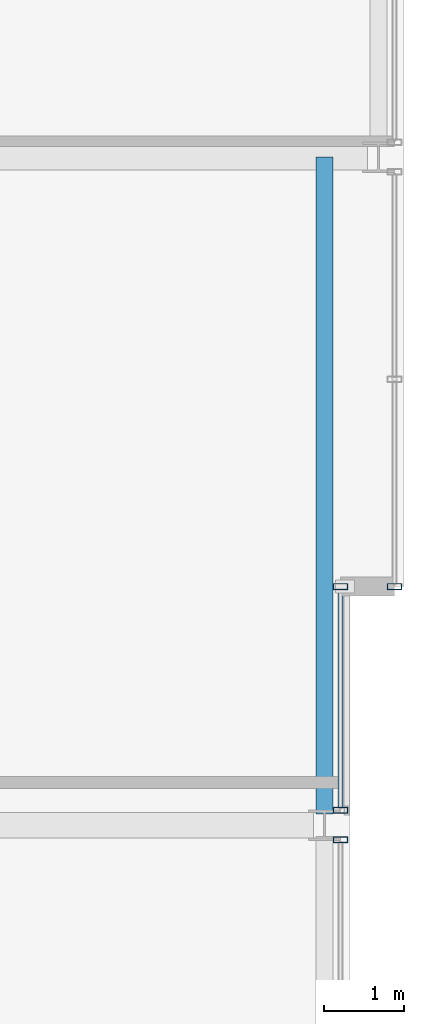
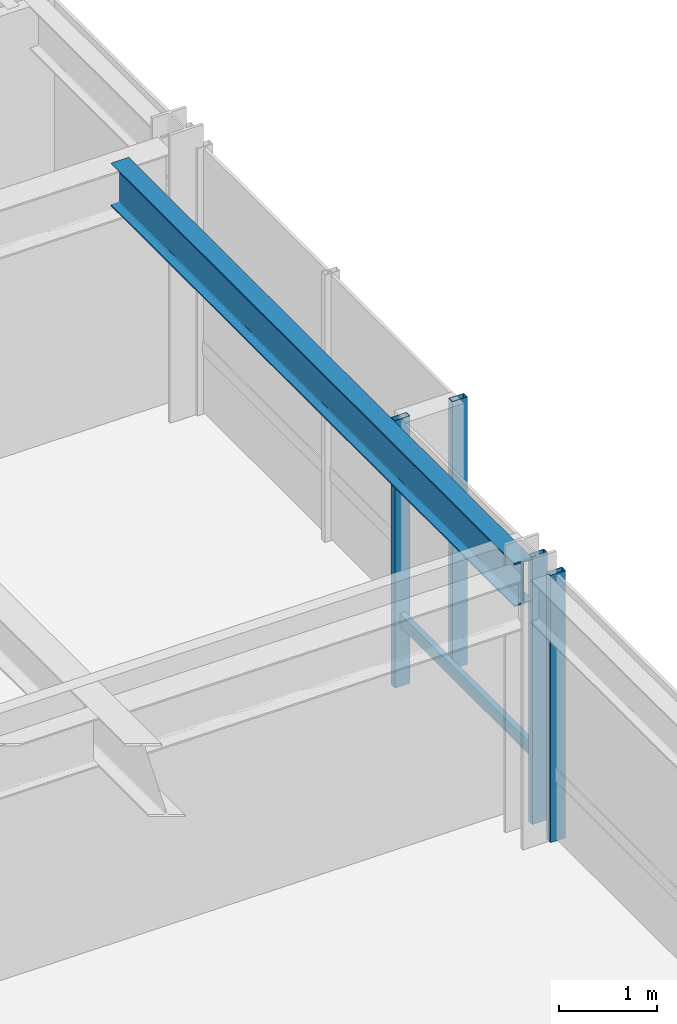
# One storey, part 16 of 31: 5 members, 1 beam, 3 elements without a shape of their own.
"""IFC4 building model written with IfcOpenShell, lengths in metres."""

from ifc_helpers import new_model, si_unit, direction, frame, origin, origin_2d, place, context, subcontext, project, spatial, hollow_rectangle, i_section, extrude, material, layer, layer_set, material_profile, profile_set, type_object, element, aggregate, save


model = new_model("IFC4")

# Units and contexts
model_context = context("Model", 3, precision=1e-05, world=origin(), true_north=direction((0.0, 1.0)))
body_context = subcontext(model_context, "Body", "Model", "MODEL_VIEW")
ifc_project = project(units=[si_unit("LENGTHUNIT", "METRE"), si_unit("AREAUNIT", "SQUARE_METRE"), si_unit("VOLUMEUNIT", "CUBIC_METRE"), si_unit("PLANEANGLEUNIT", "RADIAN"), si_unit("MASSUNIT", "GRAM", prefix="KILO")], contexts=[model_context])

# Site, building, storey
site_placement = place(None, origin())
site = spatial("IfcSite", under=ifc_project, at=site_placement, CompositionType="ELEMENT")
building_placement = place(site_placement, origin())
building = spatial("IfcBuilding", under=site, at=building_placement, Name="Drelvath Grand Hotel", CompositionType="ELEMENT")
storey_placement = place(building_placement, frame((0.0, 0.0, 219.5)))
storey = spatial("IfcBuildingStorey", under=building, at=storey_placement, Name="L57", CompositionType="ELEMENT", Elevation=219.5)

# Curtain wall, member
ifc_material_1 = material(Name="Platinum-Mist Anodised Aluminium Frame", Category="aluminium")
ifc_layer = layer(ifc_material_1, 0.199951171875)
ifc_layer_set = layer_set([ifc_layer], Name="Platinum-Mist Anodised Aluminium Frame")
curtain_wall_type = type_object("IfcCurtainWallType", Name="Stick Curtain Wall CW-05 Platinum Mist High-Rise", PredefinedType="NOTDEFINED", material=ifc_layer_set)
curtain_wall_1_placement = place(storey_placement, origin())
curtain_wall_1 = element("IfcCurtainWall", 1, at=curtain_wall_1_placement, inside=storey, type_object=curtain_wall_type, Name="L57 CW-05 Curtain Wall CW05-L57-EM2", PredefinedType="NOTDEFINED")
ifc_material_profile_1 = material_profile(ifc_material_1, hollow_rectangle(XDim=0.06494140625, YDim=0.159912109375, WallThickness=0.00390625, at=origin_2d()), Name="HSS160X65X4")
ifc_profile_set_1 = profile_set([ifc_material_profile_1], Name="Platinum-Mist Anodised Aluminium Frame")
member_type_1 = type_object("IfcMemberType", Name="Curtain Wall Horizontal Transom CW-05 HSS160X65X4", PredefinedType="USERDEFINED", material=ifc_profile_set_1)
member_1_placement = place(storey_placement, frame((21.39990234375, 29.9599609375, 0.8349609375), z_axis=(0.0, -1.0, 0.0), x_axis=(1.0, 0.0, 0.0)))
member_1 = element("IfcMember", 2, at=member_1_placement, type_object=member_type_1, Name="CW05-L57-EM2 Sill Transom", ObjectType="TRANSOM", PredefinedType="USERDEFINED", context=body_context, shape_type="SweptSolid", body=[
    extrude(hollow_rectangle(XDim=0.06494140625, YDim=0.159912109375, WallThickness=0.00390625, at=origin_2d()), origin(), (0.0, 0.0, 1.0), 2.734619140625),
])

curtain_wall_2_placement = place(storey_placement, origin())
curtain_wall_2 = element("IfcCurtainWall", 3, at=curtain_wall_2_placement, inside=storey, type_object=curtain_wall_type, Name="L57 CW-05 Curtain Wall CW05-L57-EN1", PredefinedType="NOTDEFINED")
ifc_material_profile_2 = material_profile(ifc_material_1, hollow_rectangle(XDim=0.074951171875, YDim=0.179931640625, WallThickness=0.0048828125, at=origin_2d()), Name="HSS180X75X5")
ifc_profile_set_2 = profile_set([ifc_material_profile_2], Name="Platinum-Mist Anodised Aluminium Frame")
member_type_2 = type_object("IfcMemberType", Name="Curtain Wall Vertical Mullion CW-05 HSS180X75X5", PredefinedType="MULLION", material=ifc_profile_set_2)
member_2_placement = place(storey_placement, frame((22.080078125, 30.0, 0.0), z_axis=(0.0, 0.0, 1.0), x_axis=(0.0, 1.0, 0.0)))
member_2 = element("IfcMember", 4, at=member_2_placement, type_object=member_type_2, Name="CW05-L57-EN1 Mullion 3", PredefinedType="MULLION", context=body_context, shape_type="SweptSolid", body=[
    extrude(hollow_rectangle(XDim=0.074951171875, YDim=0.179931640625, WallThickness=0.0048828125, at=origin_2d()), origin(), (0.0, 0.0, 1.0), 3.340087890625),
])
aggregate(curtain_wall_2, [member_2])

curtain_wall_3_placement = place(storey_placement, origin())
curtain_wall_3 = element("IfcCurtainWall", 5, at=curtain_wall_3_placement, inside=storey, type_object=curtain_wall_type, Name="L57 CW-05 Curtain Wall CW05-L57-EM1", PredefinedType="NOTDEFINED")
member_3_placement = place(storey_placement, frame((21.39990234375, 26.814697265625, 0.0), z_axis=(0.0, 0.0, 1.0), x_axis=(0.0, 1.0, 0.0)))
member_3 = element("IfcMember", 6, at=member_3_placement, type_object=member_type_2, Name="CW05-L57-EM1 Mullion 1", PredefinedType="MULLION", context=body_context, shape_type="SweptSolid", body=[
    extrude(hollow_rectangle(XDim=0.074951171875, YDim=0.179931640625, WallThickness=0.0048828125, at=origin_2d()), origin(), (0.0, 0.0, 1.0), 3.340087890625),
])
aggregate(curtain_wall_3, [member_3])

# Member
member_4_placement = place(storey_placement, frame((21.39990234375, 30.0, 0.0), z_axis=(0.0, 0.0, 1.0), x_axis=(0.0, 1.0, 0.0)))
member_4 = element("IfcMember", 7, at=member_4_placement, type_object=member_type_2, Name="CW05-L57-EM2 Mullion 1", PredefinedType="MULLION", context=body_context, shape_type="SweptSolid", body=[
    extrude(hollow_rectangle(XDim=0.074951171875, YDim=0.179931640625, WallThickness=0.0048828125, at=origin_2d()), origin(), (0.0, 0.0, 1.0), 3.340087890625),
])

member_5_placement = place(storey_placement, frame((21.39990234375, 27.185302734375, 0.0), z_axis=(0.0, 0.0, 1.0), x_axis=(0.0, 1.0, 0.0)))
member_5 = element("IfcMember", 8, at=member_5_placement, type_object=member_type_2, Name="CW05-L57-EM2 Mullion 2", PredefinedType="MULLION", context=body_context, shape_type="SweptSolid", body=[
    extrude(hollow_rectangle(XDim=0.074951171875, YDim=0.179931640625, WallThickness=0.0048828125, at=origin_2d()), origin(), (0.0, 0.0, 1.0), 3.340087890625),
])

aggregate(curtain_wall_1, [member_4, member_5, member_1])

# Beam
ifc_material_2 = material(Name="Steel ASTM A992 Gr 50", Category="steel")
ifc_material_profile_3 = material_profile(ifc_material_2, i_section(OverallWidth=0.210205078125, OverallDepth=0.53662109375, WebThickness=0.010986328125, FlangeThickness=0.017333984375, FilletRadius=0.01806640625, at=origin_2d()), Name="W21X68")
ifc_profile_set_3 = profile_set([ifc_material_profile_3], Name="Steel ASTM A992 Gr 50")
beam_type = type_object("IfcBeamType", Name="Perimeter Spandrel Beam W21X68", PredefinedType="SPANDREL", material=ifc_profile_set_3)
beam_placement = place(storey_placement, frame((21.199951171875, 27.139892578125, 3.07177734375), z_axis=(0.0, 1.0, 0.0), x_axis=(-1.0, 0.0, 0.0)))
element("IfcBeam", 9, at=beam_placement, inside=storey, type_object=beam_type, Name="L57 Spandrel East Mid N", PredefinedType="SPANDREL", context=body_context, shape_type="SweptSolid", body=[
    extrude(i_section(OverallWidth=0.210205078125, OverallDepth=0.53662109375, WebThickness=0.010986328125, FlangeThickness=0.017333984375, FilletRadius=0.01806640625, at=origin_2d()), origin(), (0.0, 0.0, 1.0), 8.260009765625),
])

save(model, "model.ifc")
